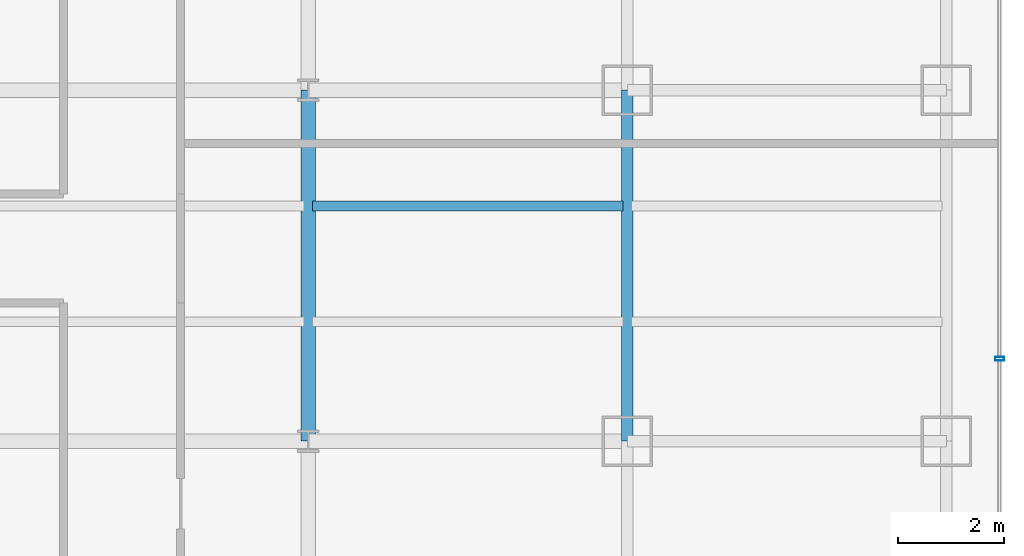
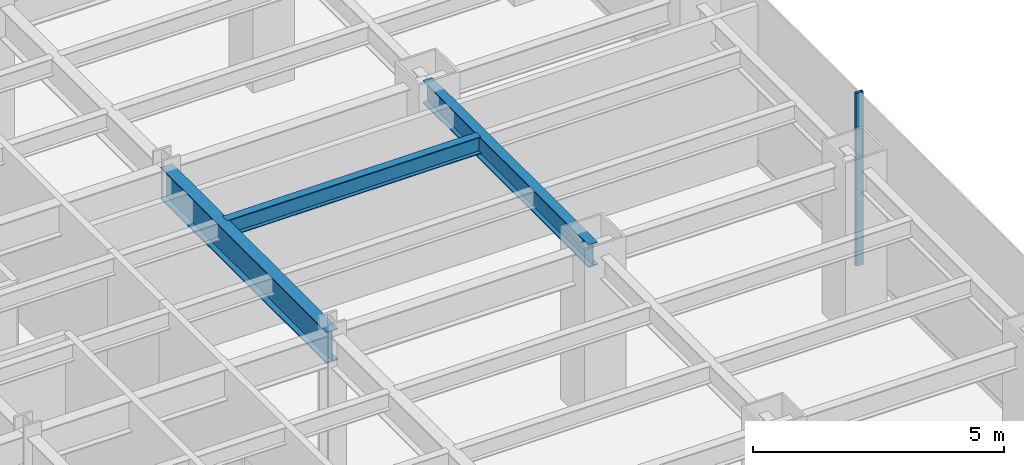
# One storey, part 13 of 35: 3 beams, 1 member, 1 element without a shape of its own.
"""IFC4 building model written with IfcOpenShell, lengths in metres."""

from ifc_helpers import new_model, si_unit, derived_unit, direction, frame, origin, origin_2d, place, context, subcontext, project, spatial, hollow_rectangle, i_section, extrude, source, transform, mapped, material, material_profile, profile_set, type_object, element, aggregate, save


model = new_model("IFC4")

# Units and contexts
model_context = context("Model", 3, precision=1e-05, world=origin(), true_north=direction((0.0, 1.0)))
body_context = subcontext(model_context, "Body", "Model", "MODEL_VIEW")
ifc_project = project(units=[si_unit("LENGTHUNIT", "METRE"), si_unit("AREAUNIT", "SQUARE_METRE"), si_unit("VOLUMEUNIT", "CUBIC_METRE"), si_unit("PLANEANGLEUNIT", "RADIAN"), si_unit("MASSUNIT", "GRAM", prefix="KILO"), derived_unit("THERMALTRANSMITTANCEUNIT", [(si_unit("POWERUNIT", "WATT"), 1), (si_unit("LENGTHUNIT", "METRE"), -2), (si_unit("THERMODYNAMICTEMPERATUREUNIT", "KELVIN"), -1)])], contexts=[model_context])

# Site, building, storey
site_placement = place(None, origin())
site = spatial("IfcSite", under=ifc_project, at=site_placement, CompositionType="ELEMENT")
building_placement = place(site_placement, origin())
building = spatial("IfcBuilding", under=site, at=building_placement, Name="Skarnbrae Concourse Arena and Tower", CompositionType="ELEMENT")
storey_placement = place(building_placement, frame((0.0, 0.0, 79.949951171875)))
storey = spatial("IfcBuildingStorey", under=building, at=storey_placement, Name="L19", CompositionType="ELEMENT", Elevation=79.949951171875)

# Beams
ifc_material_1 = material(Name="Steel CSA G40.21 350W", Category="steel")
ifc_material_profile_1 = material_profile(ifc_material_1, i_section(OverallWidth=0.26806640625, OverallDepth=0.77001953125, WebThickness=0.015625, FlangeThickness=0.025390625, at=origin_2d()), Name="W760X196")
ifc_profile_set_1 = profile_set([ifc_material_profile_1], Name="Steel CSA G40.21 350W")
beam_type_1 = type_object("IfcBeamType", Name="BM-GIRD-W760X196", PredefinedType="BEAM", material=ifc_profile_set_1)
shared_shape_1 = source(origin(), body_context, "Body", "SweptSolid", [
    extrude(i_section(OverallWidth=0.26806640625, OverallDepth=0.77001953125, WebThickness=0.015625, FlangeThickness=0.025390625, at=origin_2d()), origin(), (0.0, 0.0, 1.0), 6.60009765625),
])
beam_1_placement = place(storey_placement, frame((49.0, 21.199951171875, 3.51513671875), z_axis=(0.0, 1.0, 0.0), x_axis=(-1.0, 0.0, 0.0)))
element("IfcBeam", 1, at=beam_1_placement, inside=storey, type_object=beam_type_1, Name="L19 Primary N-S girder X49.0-3", PredefinedType="BEAM", context=body_context, shape_type="MappedRepresentation", body=[
    mapped(shared_shape_1, transform((0.0, 0.0, 0.0))),
])
ifc_material_profile_2 = material_profile(ifc_material_1, i_section(OverallWidth=0.214111328125, OverallDepth=0.549072265625, WebThickness=0.0146484375, FlangeThickness=0.023681640625, at=origin_2d()), Name="W530X138")
ifc_profile_set_2 = profile_set([ifc_material_profile_2], Name="Steel CSA G40.21 350W")
beam_type_2 = type_object("IfcBeamType", Name="BM-SPAN-W530X138", PredefinedType="SPANDREL", material=ifc_profile_set_2)
shared_shape_2 = source(origin(), body_context, "Body", "SweptSolid", [
    extrude(i_section(OverallWidth=0.214111328125, OverallDepth=0.549072265625, WebThickness=0.0146484375, FlangeThickness=0.023681640625, at=origin_2d()), origin(), (0.0, 0.0, 1.0), 6.60009765625),
])
beam_2_placement = place(storey_placement, frame((55.0, 21.199951171875, 3.62548828125), z_axis=(0.0, 1.0, 0.0), x_axis=(-1.0, 0.0, 0.0)))
element("IfcBeam", 2, at=beam_2_placement, inside=storey, type_object=beam_type_2, Name="L19 Perimeter spandrel X55.0-3", PredefinedType="SPANDREL", context=body_context, shape_type="MappedRepresentation", body=[
    mapped(shared_shape_2, transform((0.0, 0.0, 0.0))),
])
ifc_material_profile_3 = material_profile(ifc_material_1, i_section(OverallWidth=0.180908203125, OverallDepth=0.4169921875, WebThickness=0.010986328125, FlangeThickness=0.018310546875, at=origin_2d()), Name="W410X85")
ifc_profile_set_3 = profile_set([ifc_material_profile_3], Name="Steel CSA G40.21 350W")
beam_type_3 = type_object("IfcBeamType", Name="BM-JOIST-W410X85", PredefinedType="JOIST", material=ifc_profile_set_3)
shared_shape_3 = source(origin(), body_context, "Body", "SweptSolid", [
    extrude(i_section(OverallWidth=0.180908203125, OverallDepth=0.4169921875, WebThickness=0.010986328125, FlangeThickness=0.018310546875, at=origin_2d()), origin(), (0.0, 0.0, 1.0), 5.83984375),
])
beam_3_placement = place(storey_placement, frame((49.080078125, 25.6220703125, 3.691650390625), z_axis=(1.0, 0.0, 0.0), x_axis=(0.0, 1.0, 0.0)))
element("IfcBeam", 3, at=beam_3_placement, inside=storey, type_object=beam_type_3, Name="L19 Secondary floor joist 2.2.8", PredefinedType="JOIST", context=body_context, shape_type="MappedRepresentation", body=[
    mapped(shared_shape_3, transform((0.0, 0.0, 0.0))),
])

# Curtain wall, member
ifc_material_2 = material(Name="Bronze anodised aluminium 6063-T6", Category="aluminium")
curtain_wall_type = type_object("IfcCurtainWallType", Name="CW-SYS-06-SKYLOBBY", PredefinedType="USERDEFINED", material=ifc_material_2)
curtain_wall_placement = place(storey_placement, origin())
curtain_wall = element("IfcCurtainWall", 4, at=curtain_wall_placement, inside=storey, type_object=curtain_wall_type, Name="L19 Unitised curtain wall CW-L19-E04", ObjectType="UNITISED CURTAIN WALL", PredefinedType="USERDEFINED")
ifc_material_profile_4 = material_profile(ifc_material_2, hollow_rectangle(XDim=0.070068359375, YDim=0.1650390625, WallThickness=0.00390625, at=origin_2d()), Name="ALU-MULL-70X165")
ifc_profile_set_4 = profile_set([ifc_material_profile_4], Name="Bronze anodised aluminium 6063-T6")
member_type = type_object("IfcMemberType", Name="CWM-CW-06", PredefinedType="MULLION", material=ifc_profile_set_4)
shared_shape_4 = source(origin(), body_context, "Body", "SweptSolid", [
    extrude(hollow_rectangle(XDim=0.070068359375, YDim=0.1650390625, WallThickness=0.00390625, at=origin_2d()), origin(), (0.0, 0.0, 1.0), 4.199951171875),
])
member_placement = place(storey_placement, frame((62.0, 22.75, 0.0), z_axis=(0.0, 0.0, 1.0), x_axis=(0.0, 1.0, 0.0)))
member = element("IfcMember", 5, at=member_placement, type_object=member_type, Name="CW-L19-E04 Mullion 3", PredefinedType="MULLION", context=body_context, shape_type="MappedRepresentation", body=[
    mapped(shared_shape_4, transform((0.0, 0.0, 0.0))),
])
aggregate(curtain_wall, [member])

save(model, "model.ifc")
